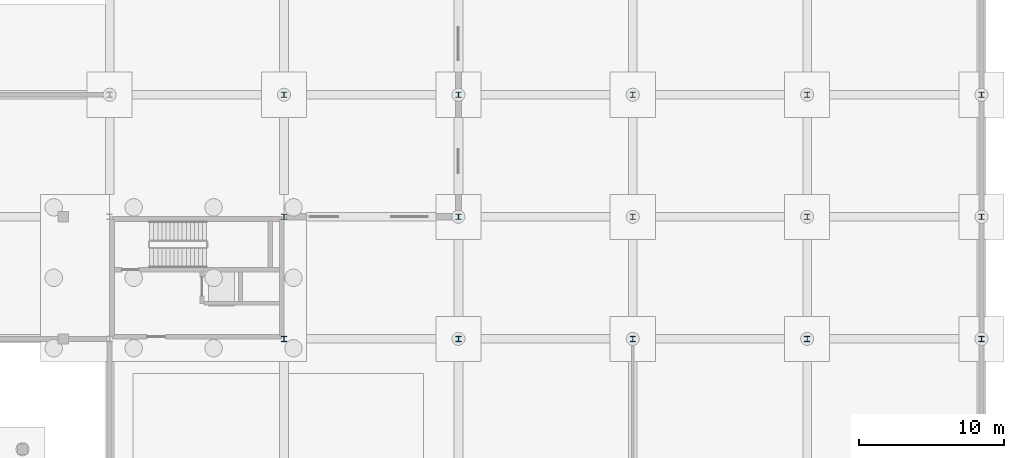
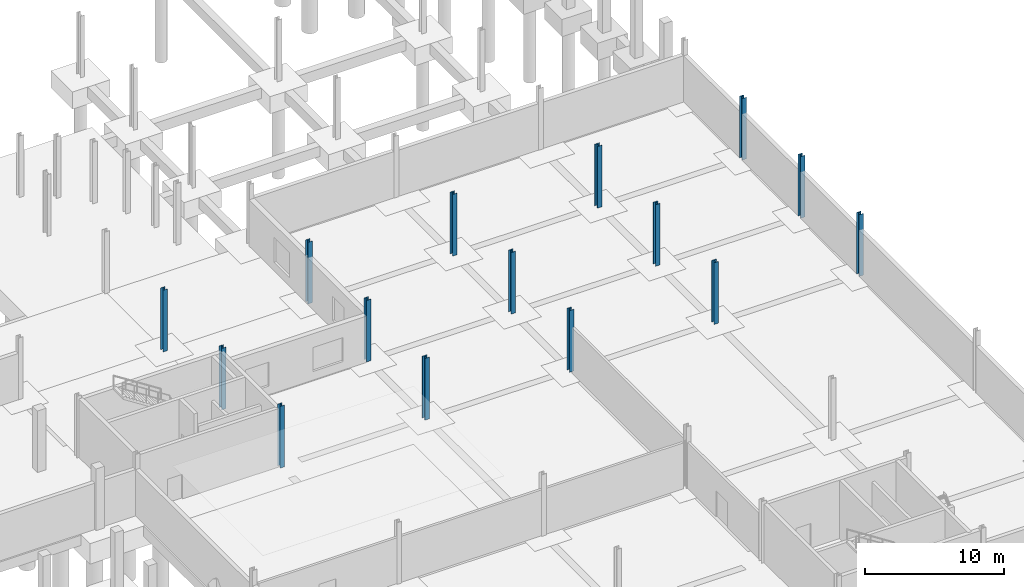
# One storey, part 17 of 36: 15 columns.
"""IFC4 building model written with IfcOpenShell, lengths in metres."""

from ifc_helpers import new_model, si_unit, direction, frame, origin, origin_2d, place, context, subcontext, project, spatial, i_section, extrude, material, material_profile, profile_set, type_object, element, save


model = new_model("IFC4")

# Units and contexts
model_context = context("Model", 3, precision=1e-05, world=origin(), true_north=direction((0.0, 1.0)))
body_context = subcontext(model_context, "Body", "Model", "MODEL_VIEW")
ifc_project = project(units=[si_unit("LENGTHUNIT", "METRE"), si_unit("AREAUNIT", "SQUARE_METRE"), si_unit("VOLUMEUNIT", "CUBIC_METRE"), si_unit("PLANEANGLEUNIT", "RADIAN"), si_unit("MASSUNIT", "GRAM", prefix="KILO"), si_unit("THERMODYNAMICTEMPERATUREUNIT", "KELVIN"), si_unit("POWERUNIT", "WATT")], contexts=[model_context])

# Site, building, storey
site_placement = place(None, origin())
site = spatial("IfcSite", under=ifc_project, at=site_placement, CompositionType="ELEMENT")
building_placement = place(site_placement, origin())
building = spatial("IfcBuilding", under=site, at=building_placement, Name="Tembeka Court Mobility Hub", CompositionType="ELEMENT")
storey_placement = place(building_placement, frame((0.0, 0.0, -5.39990234375)))
storey = spatial("IfcBuildingStorey", under=building, at=storey_placement, Name="B1", CompositionType="ELEMENT", Elevation=-5.39990234375)

# Columns
ifc_material = material(Name="Steel S355", Category="steel")
ifc_material_profile = material_profile(ifc_material, i_section(OverallWidth=0.373046875, OverallDepth=0.367919921875, WebThickness=0.014404296875, FlangeThickness=0.023681640625, FilletRadius=0.01513671875, at=origin_2d()), Name="UKC 356x368x177")
ifc_profile_set = profile_set([ifc_material_profile], Name="Steel S355")
column_type = type_object("IfcColumnType", Name="COL-C03", PredefinedType="COLUMN", material=ifc_profile_set)
for number, where, z_axis, x_axis, name in (
    (1, (128.39990234375, 38.39990234375, 0.0), (0.0, 0.0, 1.0), (1.0, 0.0, 0.0), "Column C03 (B1-176)"),
    (2, (128.39990234375, 46.800048828125, 0.0), (0.0, 0.0, 1.0), (1.0, 0.0, 0.0), "Column C03 (B1-177)"),
    (3, (128.39990234375, 55.199951171875, 0.0), (0.0, 0.0, 1.0), (1.0, 0.0, 0.0), "Column C03 (B1-178)"),
    (4, (140.39990234375, 38.39990234375, 0.0), (0.0, 0.0, 1.0), (1.0, 0.0, 0.0), "Column C03 (B1-196)"),
    (5, (140.39990234375, 46.800048828125, 0.0), (0.0, 0.0, 1.0), (1.0, 0.0, 0.0), "Column C03 (B1-197)"),
    (6, (140.39990234375, 55.199951171875, 0.0), (0.0, 0.0, 1.0), (1.0, 0.0, 0.0), "Column C03 (B1-198)"),
    (7, (152.39990234375, 38.39990234375, 0.0), (0.0, 0.0, 1.0), (1.0, 0.0, 0.0), "Column C03 (B1-209)"),
    (8, (152.39990234375, 46.800048828125, 0.0), (0.0, 0.0, 1.0), (1.0, 0.0, 0.0), "Column C03 (B1-210)"),
    (9, (152.39990234375, 55.199951171875, 0.0), (0.0, 0.0, 1.0), (1.0, 0.0, 0.0), "Column C03 (B1-211)"),
    (10, (164.39990234375, 38.39990234375, 0.0), (0.0, 0.0, 1.0), (1.0, 0.0, 0.0), "Column C03 (B1-223)"),
    (11, (164.39990234375, 46.800048828125, 0.0), (0.0, 0.0, 1.0), (1.0, 0.0, 0.0), "Column C03 (B1-224)"),
    (12, (164.39990234375, 55.199951171875, 0.0), (0.0, 0.0, 1.0), (1.0, 0.0, 0.0), "Column C03 (B1-225)"),
    (13, (176.39990234375, 38.39990234375, 0.0), (0.0, 0.0, 1.0), (1.0, 0.0, 0.0), "Column C03 (B1-242)"),
    (14, (176.39990234375, 46.800048828125, 0.0), (0.0, 0.0, 1.0), (1.0, 0.0, 0.0), "Column C03 (B1-243)"),
    (15, (176.39990234375, 55.199951171875, 0.0), (0.0, 0.0, 1.0), (1.0, 0.0, 0.0), "Column C03 (B1-244)"),
):
    element("IfcColumn", number, at=place(storey_placement, frame(where, z_axis=z_axis, x_axis=x_axis)), inside=storey, type_object=column_type, Name=name, PredefinedType="COLUMN", context=body_context, shape_type="SweptSolid", body=[
        extrude(i_section(OverallWidth=0.373046875, OverallDepth=0.367919921875, WebThickness=0.014404296875, FlangeThickness=0.023681640625, FilletRadius=0.01513671875, at=origin_2d()), origin(), (0.0, 0.0, 1.0), 5.39990234375),
    ])

save(model, "model.ifc")
